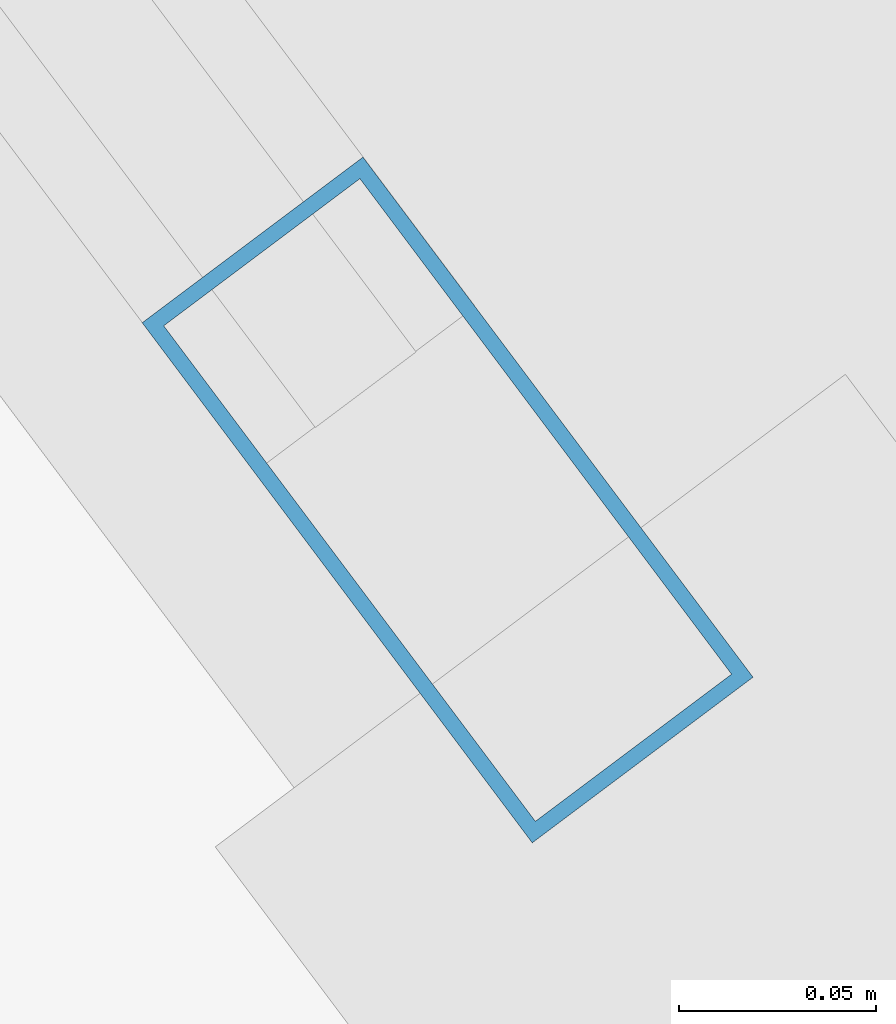
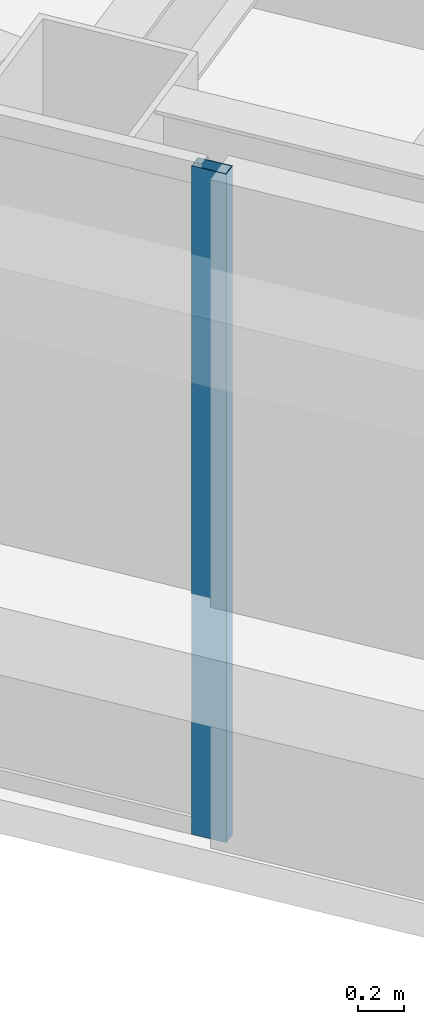
# One storey, part 19 of 47: 1 member, 1 element without a shape of its own.
"""IFC4 building model written with IfcOpenShell, lengths in metres."""

from ifc_helpers import new_model, si_unit, direction, frame, origin, origin_2d, place, context, subcontext, project, spatial, hollow_rectangle, extrude, material, material_profile, profile_set, type_object, element, aggregate, save


model = new_model("IFC4")

# Units and contexts
model_context = context("Model", 3, precision=1e-05, world=origin(), true_north=direction((0.0, 1.0)))
body_context = subcontext(model_context, "Body", "Model", "MODEL_VIEW")
ifc_project = project(units=[si_unit("LENGTHUNIT", "METRE"), si_unit("AREAUNIT", "SQUARE_METRE"), si_unit("VOLUMEUNIT", "CUBIC_METRE"), si_unit("PLANEANGLEUNIT", "RADIAN"), si_unit("MASSUNIT", "GRAM", prefix="KILO")], contexts=[model_context])

# Site, building, storey
site_placement = place(None, origin())
site = spatial("IfcSite", under=ifc_project, at=site_placement, CompositionType="ELEMENT")
building_placement = place(site_placement, origin())
building = spatial("IfcBuilding", under=site, at=building_placement, Name="Tashvorn Skyway Center", CompositionType="ELEMENT")
storey_placement = place(building_placement, frame((0.0, 0.0, 204.199951171875)))
storey = spatial("IfcBuildingStorey", under=building, at=storey_placement, Name="L55", CompositionType="ELEMENT", Elevation=204.199951171875)

# Curtain wall, member
ifc_material = material(Name="Thermally broken bronze-anodized aluminium 6063-T6", Category="aluminium")
curtain_wall_type = type_object("IfcCurtainWallType", Name="CW-CW-Z5", PredefinedType="NOTDEFINED", material=ifc_material)
curtain_wall_placement = place(storey_placement, origin())
curtain_wall = element("IfcCurtainWall", 1, at=curtain_wall_placement, inside=storey, type_object=curtain_wall_type, Name="Tower 2 L55 West Unitised Curtain Wall Glazing Group 2", PredefinedType="NOTDEFINED")
ifc_material_profile = material_profile(ifc_material, hollow_rectangle(XDim=0.070068359375, YDim=0.1650390625, WallThickness=0.00390625, at=origin_2d()), Name="ALU-MULL-70x165")
ifc_profile_set = profile_set([ifc_material_profile], Name="Thermally broken bronze-anodized aluminium 6063-T6")
member_type = type_object("IfcMemberType", Name="CWM-CW-Z5", PredefinedType="MULLION", material=ifc_profile_set)
member_placement = place(storey_placement, frame((98.89892578125, 26.334716796875, 0.0), z_axis=(0.0, 0.0, 1.0), x_axis=(-0.799998664683, -0.600001780418, 0.0)))
member = element("IfcMember", 2, at=member_placement, type_object=member_type, Name="CW-Z5 mullion 1", PredefinedType="MULLION", context=body_context, shape_type="SweptSolid", body=[
    extrude(hollow_rectangle(XDim=0.070068359375, YDim=0.1650390625, WallThickness=0.00390625, at=origin_2d()), origin(), (0.0, 0.0, 1.0), 3.550048828125),
])
aggregate(curtain_wall, [member])

save(model, "model.ifc")
